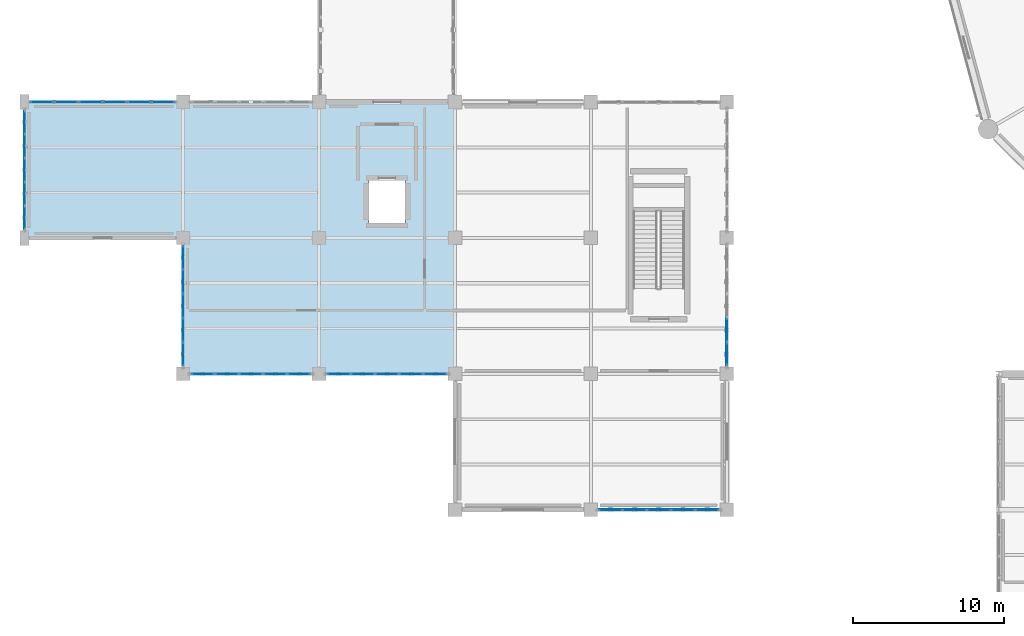
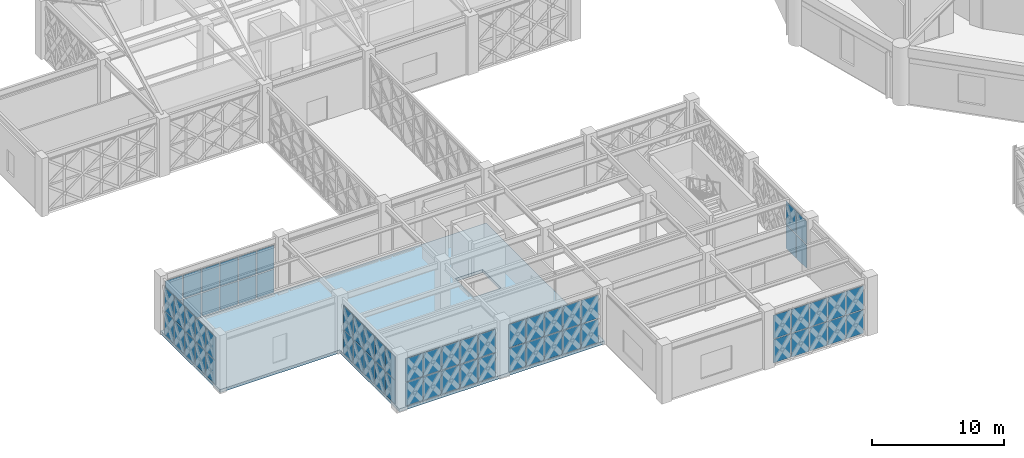
# One storey, part 124 of 166: 66 plates, 1 slab, 7 elements without a shape of their own.
"""IFC4 building model written with IfcOpenShell, lengths in metres."""

from ifc_helpers import new_model, si_unit, direction, frame, origin, origin_2d, place, context, subcontext, project, spatial, polyline, rectangle, outline, extrude, material, layer, layer_set, type_object, element, aggregate, save


model = new_model("IFC4")

# Units and contexts
model_context = context("Model", 3, precision=1e-05, world=origin(), true_north=direction((0.0, 1.0)))
body_context = subcontext(model_context, "Body", "Model", "MODEL_VIEW")
ifc_project = project(units=[si_unit("LENGTHUNIT", "METRE"), si_unit("AREAUNIT", "SQUARE_METRE"), si_unit("VOLUMEUNIT", "CUBIC_METRE"), si_unit("PLANEANGLEUNIT", "RADIAN"), si_unit("MASSUNIT", "GRAM", prefix="KILO")], contexts=[model_context])

# Site, building, storey
site_placement = place(None, origin())
site = spatial("IfcSite", under=ifc_project, at=site_placement, CompositionType="ELEMENT")
building_placement = place(site_placement, origin())
building = spatial("IfcBuilding", under=site, at=building_placement, Name="Haizhuo Lancet Aquarium", CompositionType="ELEMENT")
storey_placement = place(building_placement, frame((0.0, 0.0, 5.39990234375)))
storey = spatial("IfcBuildingStorey", under=building, at=storey_placement, Name="L01", CompositionType="ELEMENT", Elevation=5.39990234375)

# Curtain wall, plates
ifc_material_1 = material(Name="Aluminium 6063-T6", Category="aluminium")
curtain_wall_type_1 = type_object("IfcCurtainWallType", Name="CWD-8010x4540", PredefinedType="NOTDEFINED", material=ifc_material_1)
curtain_wall_1_placement = place(storey_placement, origin())
curtain_wall_1 = element("IfcCurtainWall", 1, at=curtain_wall_1_placement, inside=storey, type_object=curtain_wall_type_1, Name="L01 curtain wall CW-V6-L01-209", PredefinedType="NOTDEFINED")
ifc_material_2 = material(Name="Laminated Low-E Glass", Category="glass")
ifc_layer_1 = layer(ifc_material_2, 0.028076171875)
ifc_layer_set_1 = layer_set([ifc_layer_1], Name="Laminated Low-E Glass")
plate_type_1 = type_object("IfcPlateType", Name="CW-PNL-1", PredefinedType="CURTAIN_PANEL", material=ifc_layer_set_1)
plate_1_placement = place(storey_placement, frame((-55.31494140625, -27.0, 0.0751953125), z_axis=(0.0, 0.0, 1.0), x_axis=(-1.0, 0.0, 0.0)))
plate_1 = element("IfcPlate", 2, at=plate_1_placement, type_object=plate_type_1, Name="CWD-80x45 panel 1.1", PredefinedType="CURTAIN_PANEL", context=body_context, shape_type="SweptSolid", body=[
    extrude(rectangle(XDim=1.489990234375, YDim=0.028076171875, at=origin_2d()), origin(), (0.0, 0.0, 1.0), 2.157958984375),
])
plate_2_placement = place(storey_placement, frame((-55.31494140625, -27.0, 2.30712890625), z_axis=(0.0, 0.0, 1.0), x_axis=(-1.0, 0.0, 0.0)))
plate_2 = element("IfcPlate", 3, at=plate_2_placement, type_object=plate_type_1, Name="CWD-80x45 panel 1.2", PredefinedType="CURTAIN_PANEL", context=body_context, shape_type="SweptSolid", body=[
    extrude(rectangle(XDim=1.489990234375, YDim=0.028076171875, at=origin_2d()), origin(), (0.0, 0.0, 1.0), 2.157958984375),
])
plate_3_placement = place(storey_placement, frame((-56.89794921875, -27.0, 0.0751953125), z_axis=(0.0, 0.0, 1.0), x_axis=(-1.0, 0.0, 0.0)))
plate_3 = element("IfcPlate", 4, at=plate_3_placement, type_object=plate_type_1, Name="CWD-80x45 panel 2.1", PredefinedType="CURTAIN_PANEL", context=body_context, shape_type="SweptSolid", body=[
    extrude(rectangle(XDim=1.527099609375, YDim=0.028076171875, at=origin_2d()), origin(), (0.0, 0.0, 1.0), 2.157958984375),
])
plate_4_placement = place(storey_placement, frame((-56.89794921875, -27.0, 2.30712890625), z_axis=(0.0, 0.0, 1.0), x_axis=(-1.0, 0.0, 0.0)))
plate_4 = element("IfcPlate", 5, at=plate_4_placement, type_object=plate_type_1, Name="CWD-80x45 panel 2.2", PredefinedType="CURTAIN_PANEL", context=body_context, shape_type="SweptSolid", body=[
    extrude(rectangle(XDim=1.527099609375, YDim=0.028076171875, at=origin_2d()), origin(), (0.0, 0.0, 1.0), 2.157958984375),
])
plate_5_placement = place(storey_placement, frame((-58.5, -27.0, 0.0751953125), z_axis=(0.0, 0.0, 1.0), x_axis=(-1.0, 0.0, 0.0)))
plate_5 = element("IfcPlate", 6, at=plate_5_placement, type_object=plate_type_1, Name="CWD-80x45 panel 3.1", PredefinedType="CURTAIN_PANEL", context=body_context, shape_type="SweptSolid", body=[
    extrude(rectangle(XDim=1.527099609375, YDim=0.028076171875, at=origin_2d()), origin(), (0.0, 0.0, 1.0), 2.157958984375),
])
plate_6_placement = place(storey_placement, frame((-58.5, -27.0, 2.30712890625), z_axis=(0.0, 0.0, 1.0), x_axis=(-1.0, 0.0, 0.0)))
plate_6 = element("IfcPlate", 7, at=plate_6_placement, type_object=plate_type_1, Name="CWD-80x45 panel 3.2", PredefinedType="CURTAIN_PANEL", context=body_context, shape_type="SweptSolid", body=[
    extrude(rectangle(XDim=1.527099609375, YDim=0.028076171875, at=origin_2d()), origin(), (0.0, 0.0, 1.0), 2.157958984375),
])
plate_7_placement = place(storey_placement, frame((-60.10205078125, -27.0, 0.0751953125), z_axis=(0.0, 0.0, 1.0), x_axis=(-1.0, 0.0, 0.0)))
plate_7 = element("IfcPlate", 8, at=plate_7_placement, type_object=plate_type_1, Name="CWD-80x45 panel 4.1", PredefinedType="CURTAIN_PANEL", context=body_context, shape_type="SweptSolid", body=[
    extrude(rectangle(XDim=1.527099609375, YDim=0.028076171875, at=origin_2d()), origin(), (0.0, 0.0, 1.0), 2.157958984375),
])
plate_8_placement = place(storey_placement, frame((-60.10205078125, -27.0, 2.30712890625), z_axis=(0.0, 0.0, 1.0), x_axis=(-1.0, 0.0, 0.0)))
plate_8 = element("IfcPlate", 9, at=plate_8_placement, type_object=plate_type_1, Name="CWD-80x45 panel 4.2", PredefinedType="CURTAIN_PANEL", context=body_context, shape_type="SweptSolid", body=[
    extrude(rectangle(XDim=1.527099609375, YDim=0.028076171875, at=origin_2d()), origin(), (0.0, 0.0, 1.0), 2.157958984375),
])
plate_9_placement = place(storey_placement, frame((-61.68505859375, -27.0, 0.0751953125), z_axis=(0.0, 0.0, 1.0), x_axis=(-1.0, 0.0, 0.0)))
plate_9 = element("IfcPlate", 10, at=plate_9_placement, type_object=plate_type_1, Name="CWD-80x45 panel 5.1", PredefinedType="CURTAIN_PANEL", context=body_context, shape_type="SweptSolid", body=[
    extrude(rectangle(XDim=1.489990234375, YDim=0.028076171875, at=origin_2d()), origin(), (0.0, 0.0, 1.0), 2.157958984375),
])
plate_10_placement = place(storey_placement, frame((-61.68505859375, -27.0, 2.30712890625), z_axis=(0.0, 0.0, 1.0), x_axis=(-1.0, 0.0, 0.0)))
plate_10 = element("IfcPlate", 11, at=plate_10_placement, type_object=plate_type_1, Name="CWD-80x45 panel 5.2", PredefinedType="CURTAIN_PANEL", context=body_context, shape_type="SweptSolid", body=[
    extrude(rectangle(XDim=1.489990234375, YDim=0.028076171875, at=origin_2d()), origin(), (0.0, 0.0, 1.0), 2.157958984375),
])
aggregate(curtain_wall_1, [plate_1, plate_2, plate_3, plate_4, plate_5, plate_6, plate_7, plate_8, plate_9, plate_10])

curtain_wall_type_2 = type_object("IfcCurtainWallType", Name="CWD-7910x4540", PredefinedType="NOTDEFINED", material=ifc_material_1)
curtain_wall_2_placement = place(storey_placement, origin())
curtain_wall_2 = element("IfcCurtainWall", 12, at=curtain_wall_2_placement, inside=storey, type_object=curtain_wall_type_2, Name="L01 curtain wall CW-V6-L01-202", PredefinedType="NOTDEFINED")
ifc_layer_2 = layer(ifc_material_2, 0.033935546875)
ifc_layer_set_2 = layer_set([ifc_layer_2], Name="Laminated Low-E Glass")
plate_type_2 = type_object("IfcPlateType", Name="CW-PNL-2", PredefinedType="CURTAIN_PANEL", material=ifc_layer_set_2)
plate_11_placement = place(storey_placement, frame((-82.5, -16.64794921875, 0.064453125), z_axis=(0.0, 0.0, 1.0), x_axis=(0.0, 1.0, 0.0)))
plate_11 = element("IfcPlate", 13, at=plate_11_placement, type_object=plate_type_2, Name="CWD-79x45 panel 1.1", PredefinedType="CURTAIN_PANEL", context=body_context, shape_type="SweptSolid", body=[
    extrude(rectangle(XDim=1.48388671875, YDim=0.033935546875, at=origin_2d()), origin(), (0.0, 0.0, 1.0), 2.173095703125),
])
plate_12_placement = place(storey_placement, frame((-82.5, -16.64794921875, 2.30322265625), z_axis=(0.0, 0.0, 1.0), x_axis=(0.0, 1.0, 0.0)))
plate_12 = element("IfcPlate", 14, at=plate_12_placement, type_object=plate_type_2, Name="CWD-79x45 panel 1.2", PredefinedType="CURTAIN_PANEL", context=body_context, shape_type="SweptSolid", body=[
    extrude(rectangle(XDim=1.48388671875, YDim=0.033935546875, at=origin_2d()), origin(), (0.0, 0.0, 1.0), 2.172119140625),
])
plate_13_placement = place(storey_placement, frame((-82.5, -15.08203125, 0.064453125), z_axis=(0.0, 0.0, 1.0), x_axis=(0.0, 1.0, 0.0)))
plate_13 = element("IfcPlate", 15, at=plate_13_placement, type_object=plate_type_2, Name="CWD-79x45 panel 2.1", PredefinedType="CURTAIN_PANEL", context=body_context, shape_type="SweptSolid", body=[
    extrude(rectangle(XDim=1.51708984375, YDim=0.033935546875, at=origin_2d()), origin(), (0.0, 0.0, 1.0), 2.173095703125),
])
plate_14_placement = place(storey_placement, frame((-82.5, -15.08203125, 2.30322265625), z_axis=(0.0, 0.0, 1.0), x_axis=(0.0, 1.0, 0.0)))
plate_14 = element("IfcPlate", 16, at=plate_14_placement, type_object=plate_type_2, Name="CWD-79x45 panel 2.2", PredefinedType="CURTAIN_PANEL", context=body_context, shape_type="SweptSolid", body=[
    extrude(rectangle(XDim=1.51708984375, YDim=0.033935546875, at=origin_2d()), origin(), (0.0, 0.0, 1.0), 2.172119140625),
])
plate_15_placement = place(storey_placement, frame((-82.5, -13.5, 0.064453125), z_axis=(0.0, 0.0, 1.0), x_axis=(0.0, 1.0, 0.0)))
plate_15 = element("IfcPlate", 17, at=plate_15_placement, type_object=plate_type_2, Name="CWD-79x45 panel 3.1", PredefinedType="CURTAIN_PANEL", context=body_context, shape_type="SweptSolid", body=[
    extrude(rectangle(XDim=1.51708984375, YDim=0.033935546875, at=origin_2d()), origin(), (0.0, 0.0, 1.0), 2.173095703125),
])
plate_16_placement = place(storey_placement, frame((-82.5, -13.5, 2.30322265625), z_axis=(0.0, 0.0, 1.0), x_axis=(0.0, 1.0, 0.0)))
plate_16 = element("IfcPlate", 18, at=plate_16_placement, type_object=plate_type_2, Name="CWD-79x45 panel 3.2", PredefinedType="CURTAIN_PANEL", context=body_context, shape_type="SweptSolid", body=[
    extrude(rectangle(XDim=1.51708984375, YDim=0.033935546875, at=origin_2d()), origin(), (0.0, 0.0, 1.0), 2.172119140625),
])
plate_17_placement = place(storey_placement, frame((-82.5, -11.91796875, 0.064453125), z_axis=(0.0, 0.0, 1.0), x_axis=(0.0, 1.0, 0.0)))
plate_17 = element("IfcPlate", 19, at=plate_17_placement, type_object=plate_type_2, Name="CWD-79x45 panel 4.1", PredefinedType="CURTAIN_PANEL", context=body_context, shape_type="SweptSolid", body=[
    extrude(rectangle(XDim=1.51708984375, YDim=0.033935546875, at=origin_2d()), origin(), (0.0, 0.0, 1.0), 2.173095703125),
])
plate_18_placement = place(storey_placement, frame((-82.5, -11.91796875, 2.30322265625), z_axis=(0.0, 0.0, 1.0), x_axis=(0.0, 1.0, 0.0)))
plate_18 = element("IfcPlate", 20, at=plate_18_placement, type_object=plate_type_2, Name="CWD-79x45 panel 4.2", PredefinedType="CURTAIN_PANEL", context=body_context, shape_type="SweptSolid", body=[
    extrude(rectangle(XDim=1.51708984375, YDim=0.033935546875, at=origin_2d()), origin(), (0.0, 0.0, 1.0), 2.172119140625),
])
plate_19_placement = place(storey_placement, frame((-82.5, -10.35205078125, 0.064453125), z_axis=(0.0, 0.0, 1.0), x_axis=(0.0, 1.0, 0.0)))
plate_19 = element("IfcPlate", 21, at=plate_19_placement, type_object=plate_type_2, Name="CWD-79x45 panel 5.1", PredefinedType="CURTAIN_PANEL", context=body_context, shape_type="SweptSolid", body=[
    extrude(rectangle(XDim=1.485107421875, YDim=0.033935546875, at=origin_2d()), origin(), (0.0, 0.0, 1.0), 2.173095703125),
])
plate_20_placement = place(storey_placement, frame((-82.5, -10.35205078125, 2.30322265625), z_axis=(0.0, 0.0, 1.0), x_axis=(0.0, 1.0, 0.0)))
plate_20 = element("IfcPlate", 22, at=plate_20_placement, type_object=plate_type_2, Name="CWD-79x45 panel 5.2", PredefinedType="CURTAIN_PANEL", context=body_context, shape_type="SweptSolid", body=[
    extrude(rectangle(XDim=1.485107421875, YDim=0.033935546875, at=origin_2d()), origin(), (0.0, 0.0, 1.0), 2.172119140625),
])
aggregate(curtain_wall_2, [plate_11, plate_12, plate_13, plate_14, plate_15, plate_16, plate_17, plate_18, plate_19, plate_20])

curtain_wall_3_placement = place(storey_placement, origin())
curtain_wall_3 = element("IfcCurtainWall", 23, at=curtain_wall_3_placement, inside=storey, type_object=curtain_wall_type_1, Name="L01 curtain wall CW-V6-L01-210", PredefinedType="NOTDEFINED")
plate_21_placement = place(storey_placement, frame((-64.31591796875, -27.0, 0.080078125), z_axis=(0.0, 0.0, 1.0), x_axis=(-1.0, 0.0, 0.0)))
plate_21 = element("IfcPlate", 24, at=plate_21_placement, type_object=plate_type_2, Name="CWD-80x45 panel 1.1", PredefinedType="CURTAIN_PANEL", context=body_context, shape_type="SweptSolid", body=[
    extrude(rectangle(XDim=1.48193359375, YDim=0.033935546875, at=origin_2d()), origin(), (0.0, 0.0, 1.0), 2.14990234375),
])
plate_22_placement = place(storey_placement, frame((-64.31591796875, -27.0, 2.31005859375), z_axis=(0.0, 0.0, 1.0), x_axis=(-1.0, 0.0, 0.0)))
plate_22 = element("IfcPlate", 25, at=plate_22_placement, type_object=plate_type_2, Name="CWD-80x45 panel 1.2", PredefinedType="CURTAIN_PANEL", context=body_context, shape_type="SweptSolid", body=[
    extrude(rectangle(XDim=1.48193359375, YDim=0.033935546875, at=origin_2d()), origin(), (0.0, 0.0, 1.0), 2.14990234375),
])
plate_23_placement = place(storey_placement, frame((-65.89794921875, -27.0, 0.080078125), z_axis=(0.0, 0.0, 1.0), x_axis=(-1.0, 0.0, 0.0)))
plate_23 = element("IfcPlate", 26, at=plate_23_placement, type_object=plate_type_2, Name="CWD-80x45 panel 2.1", PredefinedType="CURTAIN_PANEL", context=body_context, shape_type="SweptSolid", body=[
    extrude(rectangle(XDim=1.52197265625, YDim=0.033935546875, at=origin_2d()), origin(), (0.0, 0.0, 1.0), 2.14990234375),
])
plate_24_placement = place(storey_placement, frame((-65.89794921875, -27.0, 2.31005859375), z_axis=(0.0, 0.0, 1.0), x_axis=(-1.0, 0.0, 0.0)))
plate_24 = element("IfcPlate", 27, at=plate_24_placement, type_object=plate_type_2, Name="CWD-80x45 panel 2.2", PredefinedType="CURTAIN_PANEL", context=body_context, shape_type="SweptSolid", body=[
    extrude(rectangle(XDim=1.52197265625, YDim=0.033935546875, at=origin_2d()), origin(), (0.0, 0.0, 1.0), 2.14990234375),
])
plate_25_placement = place(storey_placement, frame((-67.5, -27.0, 0.080078125), z_axis=(0.0, 0.0, 1.0), x_axis=(-1.0, 0.0, 0.0)))
plate_25 = element("IfcPlate", 28, at=plate_25_placement, type_object=plate_type_2, Name="CWD-80x45 panel 3.1", PredefinedType="CURTAIN_PANEL", context=body_context, shape_type="SweptSolid", body=[
    extrude(rectangle(XDim=1.52197265625, YDim=0.033935546875, at=origin_2d()), origin(), (0.0, 0.0, 1.0), 2.14990234375),
])
plate_26_placement = place(storey_placement, frame((-67.5, -27.0, 2.31005859375), z_axis=(0.0, 0.0, 1.0), x_axis=(-1.0, 0.0, 0.0)))
plate_26 = element("IfcPlate", 29, at=plate_26_placement, type_object=plate_type_2, Name="CWD-80x45 panel 3.2", PredefinedType="CURTAIN_PANEL", context=body_context, shape_type="SweptSolid", body=[
    extrude(rectangle(XDim=1.52197265625, YDim=0.033935546875, at=origin_2d()), origin(), (0.0, 0.0, 1.0), 2.14990234375),
])
plate_27_placement = place(storey_placement, frame((-69.10205078125, -27.0, 0.080078125), z_axis=(0.0, 0.0, 1.0), x_axis=(-1.0, 0.0, 0.0)))
plate_27 = element("IfcPlate", 30, at=plate_27_placement, type_object=plate_type_2, Name="CWD-80x45 panel 4.1", PredefinedType="CURTAIN_PANEL", context=body_context, shape_type="SweptSolid", body=[
    extrude(rectangle(XDim=1.52197265625, YDim=0.033935546875, at=origin_2d()), origin(), (0.0, 0.0, 1.0), 2.14990234375),
])
plate_28_placement = place(storey_placement, frame((-69.10205078125, -27.0, 2.31005859375), z_axis=(0.0, 0.0, 1.0), x_axis=(-1.0, 0.0, 0.0)))
plate_28 = element("IfcPlate", 31, at=plate_28_placement, type_object=plate_type_2, Name="CWD-80x45 panel 4.2", PredefinedType="CURTAIN_PANEL", context=body_context, shape_type="SweptSolid", body=[
    extrude(rectangle(XDim=1.52197265625, YDim=0.033935546875, at=origin_2d()), origin(), (0.0, 0.0, 1.0), 2.14990234375),
])
plate_29_placement = place(storey_placement, frame((-70.68408203125, -27.0, 0.080078125), z_axis=(0.0, 0.0, 1.0), x_axis=(-1.0, 0.0, 0.0)))
plate_29 = element("IfcPlate", 32, at=plate_29_placement, type_object=plate_type_2, Name="CWD-80x45 panel 5.1", PredefinedType="CURTAIN_PANEL", context=body_context, shape_type="SweptSolid", body=[
    extrude(rectangle(XDim=1.48193359375, YDim=0.033935546875, at=origin_2d()), origin(), (0.0, 0.0, 1.0), 2.14990234375),
])
plate_30_placement = place(storey_placement, frame((-70.68408203125, -27.0, 2.31005859375), z_axis=(0.0, 0.0, 1.0), x_axis=(-1.0, 0.0, 0.0)))
plate_30 = element("IfcPlate", 33, at=plate_30_placement, type_object=plate_type_2, Name="CWD-80x45 panel 5.2", PredefinedType="CURTAIN_PANEL", context=body_context, shape_type="SweptSolid", body=[
    extrude(rectangle(XDim=1.48193359375, YDim=0.033935546875, at=origin_2d()), origin(), (0.0, 0.0, 1.0), 2.14990234375),
])
aggregate(curtain_wall_3, [plate_21, plate_22, plate_23, plate_24, plate_25, plate_26, plate_27, plate_28, plate_29, plate_30])

curtain_wall_type_3 = type_object("IfcCurtainWallType", Name="CWO-9660x4540", PredefinedType="NOTDEFINED", material=ifc_material_1)
curtain_wall_4_placement = place(storey_placement, origin())
curtain_wall_4 = element("IfcCurtainWall", 34, at=curtain_wall_4_placement, inside=storey, type_object=curtain_wall_type_3, Name="L01 curtain wall CW-V6-L01-203", PredefinedType="NOTDEFINED")
ifc_layer_3 = layer(ifc_material_2, 0.0419921875)
ifc_layer_set_3 = layer_set([ifc_layer_3], Name="Laminated Low-E Glass")
plate_type_3 = type_object("IfcPlateType", Name="CW-PNL-3", PredefinedType="CURTAIN_PANEL", material=ifc_layer_set_3)
plate_31_placement = place(storey_placement, frame((-81.3310546875, -9.0, 0.0751953125), z_axis=(0.0, 0.0, 1.0), x_axis=(1.0, 0.0, 0.0)))
plate_31 = element("IfcPlate", 35, at=plate_31_placement, type_object=plate_type_3, Name="CWO-96x45 panel 1.1", PredefinedType="CURTAIN_PANEL", context=body_context, shape_type="SweptSolid", body=[
    extrude(rectangle(XDim=1.4970703125, YDim=0.0419921875, at=origin_2d()), origin(), (0.0, 0.0, 1.0), 2.157958984375),
])
plate_32_placement = place(storey_placement, frame((-81.3310546875, -9.0, 2.30712890625), z_axis=(0.0, 0.0, 1.0), x_axis=(1.0, 0.0, 0.0)))
plate_32 = element("IfcPlate", 36, at=plate_32_placement, type_object=plate_type_3, Name="CWO-96x45 panel 1.2", PredefinedType="CURTAIN_PANEL", context=body_context, shape_type="SweptSolid", body=[
    extrude(rectangle(XDim=1.4970703125, YDim=0.0419921875, at=origin_2d()), origin(), (0.0, 0.0, 1.0), 2.157958984375),
])
plate_33_placement = place(storey_placement, frame((-79.739990234375, -9.0, 0.0751953125), z_axis=(0.0, 0.0, 1.0), x_axis=(1.0, 0.0, 0.0)))
plate_33 = element("IfcPlate", 37, at=plate_33_placement, type_object=plate_type_3, Name="CWO-96x45 panel 2.1", PredefinedType="CURTAIN_PANEL", context=body_context, shape_type="SweptSolid", body=[
    extrude(rectangle(XDim=1.534912109375, YDim=0.0419921875, at=origin_2d()), origin(), (0.0, 0.0, 1.0), 2.157958984375),
])
plate_34_placement = place(storey_placement, frame((-79.739990234375, -9.0, 2.30712890625), z_axis=(0.0, 0.0, 1.0), x_axis=(1.0, 0.0, 0.0)))
plate_34 = element("IfcPlate", 38, at=plate_34_placement, type_object=plate_type_3, Name="CWO-96x45 panel 2.2", PredefinedType="CURTAIN_PANEL", context=body_context, shape_type="SweptSolid", body=[
    extrude(rectangle(XDim=1.534912109375, YDim=0.0419921875, at=origin_2d()), origin(), (0.0, 0.0, 1.0), 2.157958984375),
])
plate_35_placement = place(storey_placement, frame((-78.1298828125, -9.0, 0.0751953125), z_axis=(0.0, 0.0, 1.0), x_axis=(1.0, 0.0, 0.0)))
plate_35 = element("IfcPlate", 39, at=plate_35_placement, type_object=plate_type_3, Name="CWO-96x45 panel 3.1", PredefinedType="CURTAIN_PANEL", context=body_context, shape_type="SweptSolid", body=[
    extrude(rectangle(XDim=1.534912109375, YDim=0.0419921875, at=origin_2d()), origin(), (0.0, 0.0, 1.0), 2.157958984375),
])
plate_36_placement = place(storey_placement, frame((-78.1298828125, -9.0, 2.30712890625), z_axis=(0.0, 0.0, 1.0), x_axis=(1.0, 0.0, 0.0)))
plate_36 = element("IfcPlate", 40, at=plate_36_placement, type_object=plate_type_3, Name="CWO-96x45 panel 3.2", PredefinedType="CURTAIN_PANEL", context=body_context, shape_type="SweptSolid", body=[
    extrude(rectangle(XDim=1.534912109375, YDim=0.0419921875, at=origin_2d()), origin(), (0.0, 0.0, 1.0), 2.157958984375),
])
plate_37_placement = place(storey_placement, frame((-76.52001953125, -9.0, 0.0751953125), z_axis=(0.0, 0.0, 1.0), x_axis=(1.0, 0.0, 0.0)))
plate_37 = element("IfcPlate", 41, at=plate_37_placement, type_object=plate_type_3, Name="CWO-96x45 panel 4.1", PredefinedType="CURTAIN_PANEL", context=body_context, shape_type="SweptSolid", body=[
    extrude(rectangle(XDim=1.534912109375, YDim=0.0419921875, at=origin_2d()), origin(), (0.0, 0.0, 1.0), 2.157958984375),
])
plate_38_placement = place(storey_placement, frame((-76.52001953125, -9.0, 2.30712890625), z_axis=(0.0, 0.0, 1.0), x_axis=(1.0, 0.0, 0.0)))
plate_38 = element("IfcPlate", 42, at=plate_38_placement, type_object=plate_type_3, Name="CWO-96x45 panel 4.2", PredefinedType="CURTAIN_PANEL", context=body_context, shape_type="SweptSolid", body=[
    extrude(rectangle(XDim=1.534912109375, YDim=0.0419921875, at=origin_2d()), origin(), (0.0, 0.0, 1.0), 2.157958984375),
])
plate_39_placement = place(storey_placement, frame((-74.909912109375, -9.0, 0.0751953125), z_axis=(0.0, 0.0, 1.0), x_axis=(1.0, 0.0, 0.0)))
plate_39 = element("IfcPlate", 43, at=plate_39_placement, type_object=plate_type_3, Name="CWO-96x45 panel 5.1", PredefinedType="CURTAIN_PANEL", context=body_context, shape_type="SweptSolid", body=[
    extrude(rectangle(XDim=1.534912109375, YDim=0.0419921875, at=origin_2d()), origin(), (0.0, 0.0, 1.0), 2.157958984375),
])
plate_40_placement = place(storey_placement, frame((-74.909912109375, -9.0, 2.30712890625), z_axis=(0.0, 0.0, 1.0), x_axis=(1.0, 0.0, 0.0)))
plate_40 = element("IfcPlate", 44, at=plate_40_placement, type_object=plate_type_3, Name="CWO-96x45 panel 5.2", PredefinedType="CURTAIN_PANEL", context=body_context, shape_type="SweptSolid", body=[
    extrude(rectangle(XDim=1.534912109375, YDim=0.0419921875, at=origin_2d()), origin(), (0.0, 0.0, 1.0), 2.157958984375),
])
plate_41_placement = place(storey_placement, frame((-73.319091796875, -9.0, 0.0751953125), z_axis=(0.0, 0.0, 1.0), x_axis=(1.0, 0.0, 0.0)))
plate_41 = element("IfcPlate", 45, at=plate_41_placement, type_object=plate_type_3, Name="CWO-96x45 panel 6.1", PredefinedType="CURTAIN_PANEL", context=body_context, shape_type="SweptSolid", body=[
    extrude(rectangle(XDim=1.498046875, YDim=0.0419921875, at=origin_2d()), origin(), (0.0, 0.0, 1.0), 2.157958984375),
])
plate_42_placement = place(storey_placement, frame((-73.319091796875, -9.0, 2.30712890625), z_axis=(0.0, 0.0, 1.0), x_axis=(1.0, 0.0, 0.0)))
plate_42 = element("IfcPlate", 46, at=plate_42_placement, type_object=plate_type_3, Name="CWO-96x45 panel 6.2", PredefinedType="CURTAIN_PANEL", context=body_context, shape_type="SweptSolid", body=[
    extrude(rectangle(XDim=1.498046875, YDim=0.0419921875, at=origin_2d()), origin(), (0.0, 0.0, 1.0), 2.157958984375),
])
aggregate(curtain_wall_4, [plate_31, plate_32, plate_33, plate_34, plate_35, plate_36, plate_37, plate_38, plate_39, plate_40, plate_41, plate_42])

curtain_wall_5_placement = place(storey_placement, origin())
curtain_wall_5 = element("IfcCurtainWall", 47, at=curtain_wall_5_placement, inside=storey, type_object=curtain_wall_type_1, Name="L01 curtain wall CW-V6-L01-207", PredefinedType="NOTDEFINED")
plate_43_placement = place(storey_placement, frame((-36.0, -24.10205078125, 0.080078125), z_axis=(0.0, 0.0, 1.0), x_axis=(0.0, -1.0, 0.0)))
plate_43 = element("IfcPlate", 48, at=plate_43_placement, type_object=plate_type_3, Name="CWD-80x45 panel 4.1", PredefinedType="CURTAIN_PANEL", context=body_context, shape_type="SweptSolid", body=[
    extrude(rectangle(XDim=1.52197265625, YDim=0.0419921875, at=origin_2d()), origin(), (0.0, 0.0, 1.0), 2.14990234375),
])
plate_44_placement = place(storey_placement, frame((-36.0, -24.10205078125, 2.31005859375), z_axis=(0.0, 0.0, 1.0), x_axis=(0.0, -1.0, 0.0)))
plate_44 = element("IfcPlate", 49, at=plate_44_placement, type_object=plate_type_3, Name="CWD-80x45 panel 4.2", PredefinedType="CURTAIN_PANEL", context=body_context, shape_type="SweptSolid", body=[
    extrude(rectangle(XDim=1.52197265625, YDim=0.0419921875, at=origin_2d()), origin(), (0.0, 0.0, 1.0), 2.14990234375),
])
plate_45_placement = place(storey_placement, frame((-36.0, -25.68408203125, 0.080078125), z_axis=(0.0, 0.0, 1.0), x_axis=(0.0, -1.0, 0.0)))
plate_45 = element("IfcPlate", 50, at=plate_45_placement, type_object=plate_type_3, Name="CWD-80x45 panel 5.1", PredefinedType="CURTAIN_PANEL", context=body_context, shape_type="SweptSolid", body=[
    extrude(rectangle(XDim=1.48193359375, YDim=0.0419921875, at=origin_2d()), origin(), (0.0, 0.0, 1.0), 2.14990234375),
])
plate_46_placement = place(storey_placement, frame((-36.0, -25.68408203125, 2.31005859375), z_axis=(0.0, 0.0, 1.0), x_axis=(0.0, -1.0, 0.0)))
plate_46 = element("IfcPlate", 51, at=plate_46_placement, type_object=plate_type_3, Name="CWD-80x45 panel 5.2", PredefinedType="CURTAIN_PANEL", context=body_context, shape_type="SweptSolid", body=[
    extrude(rectangle(XDim=1.48193359375, YDim=0.0419921875, at=origin_2d()), origin(), (0.0, 0.0, 1.0), 2.14990234375),
])
aggregate(curtain_wall_5, [plate_43, plate_44, plate_45, plate_46])

curtain_wall_6_placement = place(storey_placement, origin())
curtain_wall_6 = element("IfcCurtainWall", 52, at=curtain_wall_6_placement, inside=storey, type_object=curtain_wall_type_1, Name="L01 curtain wall CW-V6-L01-211", PredefinedType="NOTDEFINED")
plate_47_placement = place(storey_placement, frame((-72.0, -25.68798828125, 0.064453125), z_axis=(0.0, 0.0, 1.0), x_axis=(0.0, 1.0, 0.0)))
plate_47 = element("IfcPlate", 53, at=plate_47_placement, type_object=plate_type_3, Name="CWD-80x45 panel 1.1", PredefinedType="CURTAIN_PANEL", context=body_context, shape_type="SweptSolid", body=[
    extrude(rectangle(XDim=1.50390625, YDim=0.0419921875, at=origin_2d()), origin(), (0.0, 0.0, 1.0), 2.173095703125),
])
plate_48_placement = place(storey_placement, frame((-72.0, -25.68798828125, 2.30322265625), z_axis=(0.0, 0.0, 1.0), x_axis=(0.0, 1.0, 0.0)))
plate_48 = element("IfcPlate", 54, at=plate_48_placement, type_object=plate_type_3, Name="CWD-80x45 panel 1.2", PredefinedType="CURTAIN_PANEL", context=body_context, shape_type="SweptSolid", body=[
    extrude(rectangle(XDim=1.50390625, YDim=0.0419921875, at=origin_2d()), origin(), (0.0, 0.0, 1.0), 2.172119140625),
])
plate_49_placement = place(storey_placement, frame((-72.0, -24.10205078125, 0.064453125), z_axis=(0.0, 0.0, 1.0), x_axis=(0.0, 1.0, 0.0)))
plate_49 = element("IfcPlate", 55, at=plate_49_placement, type_object=plate_type_3, Name="CWD-80x45 panel 2.1", PredefinedType="CURTAIN_PANEL", context=body_context, shape_type="SweptSolid", body=[
    extrude(rectangle(XDim=1.537109375, YDim=0.0419921875, at=origin_2d()), origin(), (0.0, 0.0, 1.0), 2.173095703125),
])
plate_50_placement = place(storey_placement, frame((-72.0, -24.10205078125, 2.30322265625), z_axis=(0.0, 0.0, 1.0), x_axis=(0.0, 1.0, 0.0)))
plate_50 = element("IfcPlate", 56, at=plate_50_placement, type_object=plate_type_3, Name="CWD-80x45 panel 2.2", PredefinedType="CURTAIN_PANEL", context=body_context, shape_type="SweptSolid", body=[
    extrude(rectangle(XDim=1.537109375, YDim=0.0419921875, at=origin_2d()), origin(), (0.0, 0.0, 1.0), 2.172119140625),
])
plate_51_placement = place(storey_placement, frame((-72.0, -22.5, 0.064453125), z_axis=(0.0, 0.0, 1.0), x_axis=(0.0, 1.0, 0.0)))
plate_51 = element("IfcPlate", 57, at=plate_51_placement, type_object=plate_type_3, Name="CWD-80x45 panel 3.1", PredefinedType="CURTAIN_PANEL", context=body_context, shape_type="SweptSolid", body=[
    extrude(rectangle(XDim=1.537109375, YDim=0.0419921875, at=origin_2d()), origin(), (0.0, 0.0, 1.0), 2.173095703125),
])
plate_52_placement = place(storey_placement, frame((-72.0, -22.5, 2.30322265625), z_axis=(0.0, 0.0, 1.0), x_axis=(0.0, 1.0, 0.0)))
plate_52 = element("IfcPlate", 58, at=plate_52_placement, type_object=plate_type_3, Name="CWD-80x45 panel 3.2", PredefinedType="CURTAIN_PANEL", context=body_context, shape_type="SweptSolid", body=[
    extrude(rectangle(XDim=1.537109375, YDim=0.0419921875, at=origin_2d()), origin(), (0.0, 0.0, 1.0), 2.172119140625),
])
plate_53_placement = place(storey_placement, frame((-72.0, -20.89794921875, 0.064453125), z_axis=(0.0, 0.0, 1.0), x_axis=(0.0, 1.0, 0.0)))
plate_53 = element("IfcPlate", 59, at=plate_53_placement, type_object=plate_type_3, Name="CWD-80x45 panel 4.1", PredefinedType="CURTAIN_PANEL", context=body_context, shape_type="SweptSolid", body=[
    extrude(rectangle(XDim=1.537109375, YDim=0.0419921875, at=origin_2d()), origin(), (0.0, 0.0, 1.0), 2.173095703125),
])
plate_54_placement = place(storey_placement, frame((-72.0, -20.89794921875, 2.30322265625), z_axis=(0.0, 0.0, 1.0), x_axis=(0.0, 1.0, 0.0)))
plate_54 = element("IfcPlate", 60, at=plate_54_placement, type_object=plate_type_3, Name="CWD-80x45 panel 4.2", PredefinedType="CURTAIN_PANEL", context=body_context, shape_type="SweptSolid", body=[
    extrude(rectangle(XDim=1.537109375, YDim=0.0419921875, at=origin_2d()), origin(), (0.0, 0.0, 1.0), 2.172119140625),
])
plate_55_placement = place(storey_placement, frame((-72.0, -19.31201171875, 0.064453125), z_axis=(0.0, 0.0, 1.0), x_axis=(0.0, 1.0, 0.0)))
plate_55 = element("IfcPlate", 61, at=plate_55_placement, type_object=plate_type_3, Name="CWD-80x45 panel 5.1", PredefinedType="CURTAIN_PANEL", context=body_context, shape_type="SweptSolid", body=[
    extrude(rectangle(XDim=1.5048828125, YDim=0.0419921875, at=origin_2d()), origin(), (0.0, 0.0, 1.0), 2.173095703125),
])
plate_56_placement = place(storey_placement, frame((-72.0, -19.31201171875, 2.30322265625), z_axis=(0.0, 0.0, 1.0), x_axis=(0.0, 1.0, 0.0)))
plate_56 = element("IfcPlate", 62, at=plate_56_placement, type_object=plate_type_3, Name="CWD-80x45 panel 5.2", PredefinedType="CURTAIN_PANEL", context=body_context, shape_type="SweptSolid", body=[
    extrude(rectangle(XDim=1.5048828125, YDim=0.0419921875, at=origin_2d()), origin(), (0.0, 0.0, 1.0), 2.172119140625),
])
aggregate(curtain_wall_6, [plate_47, plate_48, plate_49, plate_50, plate_51, plate_52, plate_53, plate_54, plate_55, plate_56])

curtain_wall_7_placement = place(storey_placement, origin())
curtain_wall_7 = element("IfcCurtainWall", 63, at=curtain_wall_7_placement, inside=storey, type_object=curtain_wall_type_1, Name="L01 curtain wall CW-V6-L01-208", PredefinedType="NOTDEFINED")
ifc_layer_4 = layer(ifc_material_2, 0.052001953125)
ifc_layer_set_4 = layer_set([ifc_layer_4], Name="Laminated Low-E Glass")
plate_type_4 = type_object("IfcPlateType", Name="CW-PNL-4", PredefinedType="CURTAIN_PANEL", material=ifc_layer_set_4)
plate_57_placement = place(storey_placement, frame((-37.31201171875, -36.0, 0.064453125), z_axis=(0.0, 0.0, 1.0), x_axis=(-1.0, 0.0, 0.0)))
plate_57 = element("IfcPlate", 64, at=plate_57_placement, type_object=plate_type_4, Name="CWD-80x45 panel 1.1", PredefinedType="CURTAIN_PANEL", context=body_context, shape_type="SweptSolid", body=[
    extrude(rectangle(XDim=1.5048828125, YDim=0.052001953125, at=origin_2d()), origin(), (0.0, 0.0, 1.0), 2.173095703125),
])
plate_58_placement = place(storey_placement, frame((-37.31201171875, -36.0, 2.30322265625), z_axis=(0.0, 0.0, 1.0), x_axis=(-1.0, 0.0, 0.0)))
plate_58 = element("IfcPlate", 65, at=plate_58_placement, type_object=plate_type_4, Name="CWD-80x45 panel 1.2", PredefinedType="CURTAIN_PANEL", context=body_context, shape_type="SweptSolid", body=[
    extrude(rectangle(XDim=1.5048828125, YDim=0.052001953125, at=origin_2d()), origin(), (0.0, 0.0, 1.0), 2.172119140625),
])
plate_59_placement = place(storey_placement, frame((-38.89794921875, -36.0, 0.064453125), z_axis=(0.0, 0.0, 1.0), x_axis=(-1.0, 0.0, 0.0)))
plate_59 = element("IfcPlate", 66, at=plate_59_placement, type_object=plate_type_4, Name="CWD-80x45 panel 2.1", PredefinedType="CURTAIN_PANEL", context=body_context, shape_type="SweptSolid", body=[
    extrude(rectangle(XDim=1.537109375, YDim=0.052001953125, at=origin_2d()), origin(), (0.0, 0.0, 1.0), 2.173095703125),
])
plate_60_placement = place(storey_placement, frame((-38.89794921875, -36.0, 2.30322265625), z_axis=(0.0, 0.0, 1.0), x_axis=(-1.0, 0.0, 0.0)))
plate_60 = element("IfcPlate", 67, at=plate_60_placement, type_object=plate_type_4, Name="CWD-80x45 panel 2.2", PredefinedType="CURTAIN_PANEL", context=body_context, shape_type="SweptSolid", body=[
    extrude(rectangle(XDim=1.537109375, YDim=0.052001953125, at=origin_2d()), origin(), (0.0, 0.0, 1.0), 2.172119140625),
])
plate_61_placement = place(storey_placement, frame((-40.5, -36.0, 0.064453125), z_axis=(0.0, 0.0, 1.0), x_axis=(-1.0, 0.0, 0.0)))
plate_61 = element("IfcPlate", 68, at=plate_61_placement, type_object=plate_type_4, Name="CWD-80x45 panel 3.1", PredefinedType="CURTAIN_PANEL", context=body_context, shape_type="SweptSolid", body=[
    extrude(rectangle(XDim=1.537109375, YDim=0.052001953125, at=origin_2d()), origin(), (0.0, 0.0, 1.0), 2.173095703125),
])
plate_62_placement = place(storey_placement, frame((-40.5, -36.0, 2.30322265625), z_axis=(0.0, 0.0, 1.0), x_axis=(-1.0, 0.0, 0.0)))
plate_62 = element("IfcPlate", 69, at=plate_62_placement, type_object=plate_type_4, Name="CWD-80x45 panel 3.2", PredefinedType="CURTAIN_PANEL", context=body_context, shape_type="SweptSolid", body=[
    extrude(rectangle(XDim=1.537109375, YDim=0.052001953125, at=origin_2d()), origin(), (0.0, 0.0, 1.0), 2.172119140625),
])
plate_63_placement = place(storey_placement, frame((-42.10205078125, -36.0, 0.064453125), z_axis=(0.0, 0.0, 1.0), x_axis=(-1.0, 0.0, 0.0)))
plate_63 = element("IfcPlate", 70, at=plate_63_placement, type_object=plate_type_4, Name="CWD-80x45 panel 4.1", PredefinedType="CURTAIN_PANEL", context=body_context, shape_type="SweptSolid", body=[
    extrude(rectangle(XDim=1.537109375, YDim=0.052001953125, at=origin_2d()), origin(), (0.0, 0.0, 1.0), 2.173095703125),
])
plate_64_placement = place(storey_placement, frame((-42.10205078125, -36.0, 2.30322265625), z_axis=(0.0, 0.0, 1.0), x_axis=(-1.0, 0.0, 0.0)))
plate_64 = element("IfcPlate", 71, at=plate_64_placement, type_object=plate_type_4, Name="CWD-80x45 panel 4.2", PredefinedType="CURTAIN_PANEL", context=body_context, shape_type="SweptSolid", body=[
    extrude(rectangle(XDim=1.537109375, YDim=0.052001953125, at=origin_2d()), origin(), (0.0, 0.0, 1.0), 2.172119140625),
])
plate_65_placement = place(storey_placement, frame((-43.68798828125, -36.0, 0.064453125), z_axis=(0.0, 0.0, 1.0), x_axis=(-1.0, 0.0, 0.0)))
plate_65 = element("IfcPlate", 72, at=plate_65_placement, type_object=plate_type_4, Name="CWD-80x45 panel 5.1", PredefinedType="CURTAIN_PANEL", context=body_context, shape_type="SweptSolid", body=[
    extrude(rectangle(XDim=1.5048828125, YDim=0.052001953125, at=origin_2d()), origin(), (0.0, 0.0, 1.0), 2.173095703125),
])
plate_66_placement = place(storey_placement, frame((-43.68798828125, -36.0, 2.30322265625), z_axis=(0.0, 0.0, 1.0), x_axis=(-1.0, 0.0, 0.0)))
plate_66 = element("IfcPlate", 73, at=plate_66_placement, type_object=plate_type_4, Name="CWD-80x45 panel 5.2", PredefinedType="CURTAIN_PANEL", context=body_context, shape_type="SweptSolid", body=[
    extrude(rectangle(XDim=1.5048828125, YDim=0.052001953125, at=origin_2d()), origin(), (0.0, 0.0, 1.0), 2.172119140625),
])
aggregate(curtain_wall_7, [plate_57, plate_58, plate_59, plate_60, plate_61, plate_62, plate_63, plate_64, plate_65, plate_66])

# Slab
ifc_material_3 = material(Name="Concrete C40/50", Category="concrete")
ifc_layer_5 = layer(ifc_material_3, 0.280029296875)
ifc_layer_set_5 = layer_set([ifc_layer_5], Name="Concrete C40/50")
slab_type = type_object("IfcSlabType", Name="SLB-HEAVY-280", PredefinedType="FLOOR", material=ifc_layer_set_5)
slab_placement = place(storey_placement, frame((0.0, 0.0, -0.27978515625)))
element("IfcSlab", 74, at=slab_placement, inside=storey, type_object=slab_type, Name="L01 structural slab SL-L01-V6-01", PredefinedType="FLOOR", context=body_context, shape_type="SweptSolid", body=[
    extrude(outline(polyline([(-82.5, -18.0), (-72.0, -18.0), (-72.0, -27.0), (-54.0, -27.0), (-54.0, -9.0), (-82.5, -9.0), (-82.5, -18.0)]), holes=[polyline([(-59.699951171875, -14.199951171875), (-59.699951171875, -17.0), (-57.300048828125, -17.0), (-57.300048828125, -14.199951171875), (-59.699951171875, -14.199951171875)])]), origin(), (0.0, 0.0, 1.0), 0.27978515625),
])

save(model, "model.ifc")
